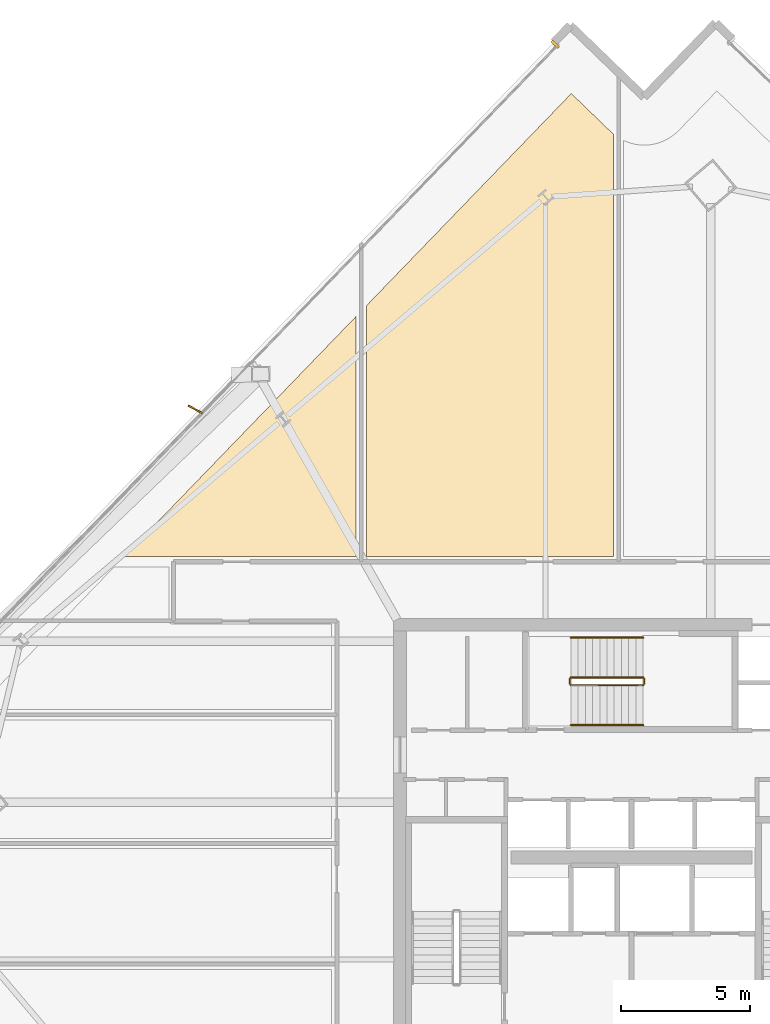
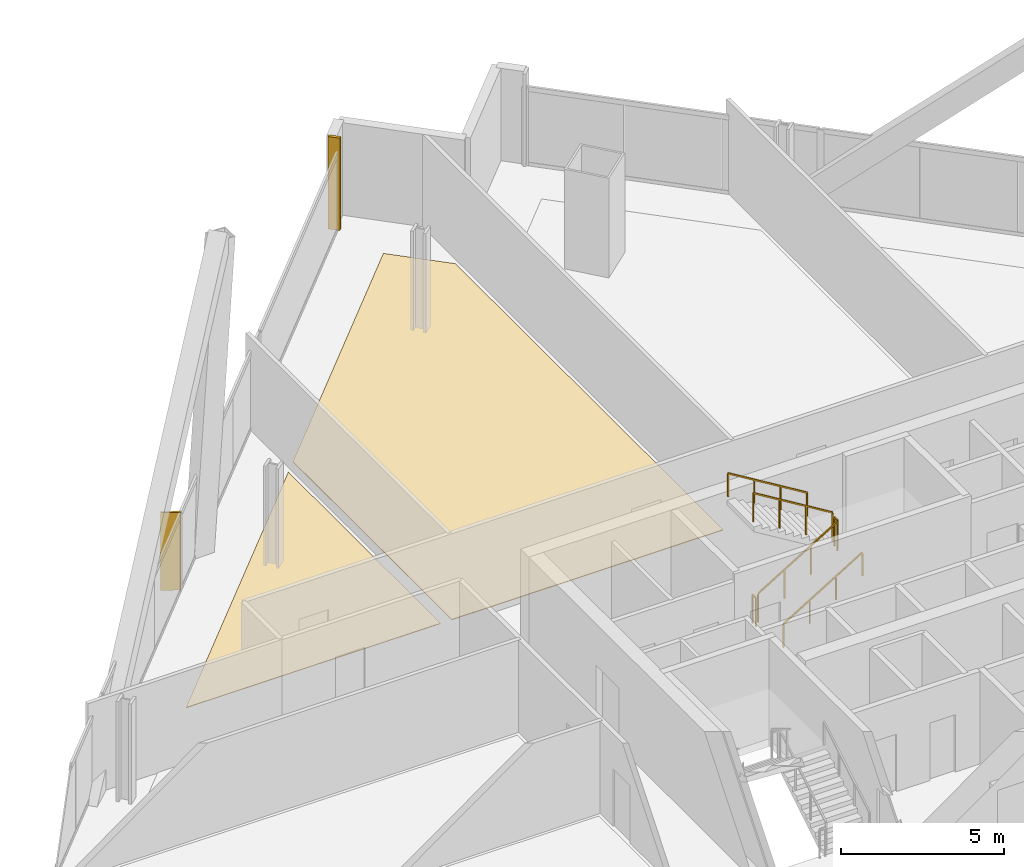
# One storey, part 32 of 33: 6 railings, 3 coverings, 1 shading device.
"""IFC4 building model written with IfcOpenShell, lengths in metres."""

from ifc_helpers import new_model, si_unit, direction, frame, origin, origin_2d, place, context, subcontext, project, spatial, polyline, rectangle, outline, extrude, source, transform, mapped, material, layer, layer_set, type_object, element, save


model = new_model("IFC4")

# Units and contexts
model_context = context("Model", 3, precision=1e-05, world=origin(), true_north=direction((0.0, 1.0)))
body_context = subcontext(model_context, "Body", "Model", "MODEL_VIEW")
ifc_project = project(units=[si_unit("LENGTHUNIT", "METRE"), si_unit("AREAUNIT", "SQUARE_METRE"), si_unit("VOLUMEUNIT", "CUBIC_METRE"), si_unit("PLANEANGLEUNIT", "RADIAN"), si_unit("MASSUNIT", "GRAM", prefix="KILO")], contexts=[model_context])

# Site, building, storey
site_placement = place(None, origin())
site = spatial("IfcSite", under=ifc_project, at=site_placement, CompositionType="ELEMENT")
building_placement = place(site_placement, origin())
building = spatial("IfcBuilding", under=site, at=building_placement, Name="Haldenkirk Collegiate Tower", CompositionType="ELEMENT")
storey_placement = place(building_placement, frame((0.0, 0.0, 181.949951171875)))
storey = spatial("IfcBuildingStorey", under=building, at=storey_placement, Name="L45", CompositionType="ELEMENT", Elevation=181.949951171875)

# Coverings
ifc_material_1 = material(Name="Polished collegiate terrazzo", Category="concrete")
ifc_layer_1 = layer(ifc_material_1, 0.02490234375)
ifc_layer_set_1 = layer_set([ifc_layer_1], Name="Polished collegiate terrazzo")
covering_type_1 = type_object("IfcCoveringType", Name="COV-FLOOR-TERRAZZO", PredefinedType="FLOORING", material=ifc_layer_set_1)
covering_1_placement = place(storey_placement, origin())
element("IfcCovering", 1, at=covering_1_placement, inside=storey, type_object=covering_type_1, Name="L45 academic room finish 04", PredefinedType="FLOORING", context=body_context, shape_type="SweptSolid", body=[
    extrude(outline(polyline([(35.193359375, 53.164306640625), (35.19775390625, 53.16015625), (35.300048828125, 53.07080078125), (35.300048828125, 36.64990234375), (25.699951171875, 36.64990234375), (25.699951171875, 46.399658203125), (33.661376953125, 54.643798828125), (35.193359375, 53.164306640625)])), origin(), (0.0, 0.0, 1.0), 0.025146484375),
])
ifc_material_2 = material(Name="Engineered collegiate oak acoustic flooring", Category="wood")
ifc_layer_2 = layer(ifc_material_2, 0.02197265625)
ifc_layer_set_2 = layer_set([ifc_layer_2], Name="Engineered collegiate oak acoustic flooring")
covering_type_2 = type_object("IfcCoveringType", Name="COV-FLOOR-TIMBER", PredefinedType="FLOORING", material=ifc_layer_set_2)
covering_2_placement = place(storey_placement, origin())
element("IfcCovering", 2, at=covering_2_placement, inside=storey, type_object=covering_type_2, Name="L45 academic room finish 03", PredefinedType="FLOORING", context=body_context, shape_type="SweptSolid", body=[
    extrude(outline(polyline([(25.300048828125, 45.985595703125), (25.300048828125, 36.64990234375), (16.284912109375, 36.64990234375), (25.300048828125, 45.985595703125)])), origin(), (0.0, 0.0, 1.0), 0.02197265625),
])

# Railings
ifc_material_3 = material(Name="Painted architectural tubular steel", Category="steel")
railing_type_1 = type_object("IfcRailingType", Name="RLG-STAIR-GUARD-1100", PredefinedType="BALUSTRADE", material=ifc_material_3)
railing_1_placement = place(storey_placement, frame((33.64990234375, 31.64990234375, 0.17041015625)))
element("IfcRailing", 3, at=railing_1_placement, inside=storey, type_object=railing_type_1, Name="L45 ST-3 stair guard 1", PredefinedType="BALUSTRADE", context=body_context, shape_type="SweptSolid", body=[
    extrude(rectangle(XDim=0.048095703125, YDim=0.048095703125, at=origin_2d()), frame((0.0, 0.0, 1.076171875), z_axis=(0.854169791009, 0.0, 0.51999420009), x_axis=(0.0, 1.0, 0.0)), (0.0, 0.0, 1.0), 3.278076171875),
    extrude(rectangle(XDim=0.0419921875, YDim=0.0419921875, at=origin_2d()), origin(), (0.0, 0.0, 1.0), 1.052001953125),
    extrude(rectangle(XDim=0.0419921875, YDim=0.0419921875, at=origin_2d()), frame((0.933349609375, 0.0, 0.568115234375)), (0.0, 0.0, 1.0), 1.052001953125),
    extrude(rectangle(XDim=0.0419921875, YDim=0.0419921875, at=origin_2d()), frame((1.86669921875, 0.0, 1.136474609375)), (0.0, 0.0, 1.0), 1.052001953125),
    extrude(rectangle(XDim=0.0419921875, YDim=0.0419921875, at=origin_2d()), frame((2.800048828125, 0.0, 1.70458984375)), (0.0, 0.0, 1.0), 1.052001953125),
])
railing_2_placement = place(storey_placement, frame((36.5, 31.699951171875, 1.875)))
element("IfcRailing", 4, at=railing_2_placement, inside=storey, type_object=railing_type_1, Name="L45 ST-3 stair guard 2", PredefinedType="BALUSTRADE", context=body_context, shape_type="SweptSolid", body=[
    extrude(rectangle(XDim=0.048095703125, YDim=0.048095703125, at=origin_2d()), frame((0.0, 0.0, 1.076171875), z_axis=(0.0, 1.0, 0.0), x_axis=(-1.0, 0.0, 0.0)), (0.0, 0.0, 1.0), 0.199951171875),
    extrude(rectangle(XDim=0.0419921875, YDim=0.0419921875, at=origin_2d()), origin(), (0.0, 0.0, 1.0), 1.052001953125),
    extrude(rectangle(XDim=0.0419921875, YDim=0.0419921875, at=origin_2d()), frame((0.0, 0.199951171875, 0.0)), (0.0, 0.0, 1.0), 1.052001953125),
])
railing_3_placement = place(storey_placement, frame((36.449951171875, 31.949951171875, 2.04541015625)))
element("IfcRailing", 5, at=railing_3_placement, inside=storey, type_object=railing_type_1, Name="L45 ST-3 stair guard 3", PredefinedType="BALUSTRADE", context=body_context, shape_type="SweptSolid", body=[
    extrude(rectangle(XDim=0.048095703125, YDim=0.048095703125, at=origin_2d()), frame((0.0, 0.0, 1.076171875), z_axis=(-0.854169791009, 0.0, 0.51999420009), x_axis=(0.0, -1.0, 0.0)), (0.0, 0.0, 1.0), 3.278076171875),
    extrude(rectangle(XDim=0.0419921875, YDim=0.0419921875, at=origin_2d()), origin(), (0.0, 0.0, 1.0), 1.052001953125),
    extrude(rectangle(XDim=0.0419921875, YDim=0.0419921875, at=origin_2d()), frame((-0.933349609375, 0.0, 0.568115234375)), (0.0, 0.0, 1.0), 1.052001953125),
    extrude(rectangle(XDim=0.0419921875, YDim=0.0419921875, at=origin_2d()), frame((-1.86669921875, 0.0, 1.136474609375)), (0.0, 0.0, 1.0), 1.052001953125),
    extrude(rectangle(XDim=0.0419921875, YDim=0.0419921875, at=origin_2d()), frame((-2.800048828125, 0.0, 1.70458984375)), (0.0, 0.0, 1.0), 1.052001953125),
])
railing_4_placement = place(storey_placement, frame((33.60009765625, 31.699951171875, 0.0)))
element("IfcRailing", 6, at=railing_4_placement, inside=storey, type_object=railing_type_1, Name="L45 ST-3 stair guard 4", PredefinedType="BALUSTRADE", context=body_context, shape_type="SweptSolid", body=[
    extrude(rectangle(XDim=0.048095703125, YDim=0.048095703125, at=origin_2d()), frame((0.0, 0.0, 1.076171875), z_axis=(0.0, 1.0, 0.0), x_axis=(-1.0, 0.0, 0.0)), (0.0, 0.0, 1.0), 0.199951171875),
    extrude(rectangle(XDim=0.0419921875, YDim=0.0419921875, at=origin_2d()), origin(), (0.0, 0.0, 1.0), 1.052001953125),
    extrude(rectangle(XDim=0.0419921875, YDim=0.0419921875, at=origin_2d()), frame((0.0, 0.199951171875, 0.0)), (0.0, 0.0, 1.0), 1.052001953125),
])
railing_type_2 = type_object("IfcRailingType", Name="RLG-STAIR-HANDRAIL-900", PredefinedType="HANDRAIL", material=ifc_material_3)
railing_5_placement = place(storey_placement, frame((33.64990234375, 30.10009765625, 0.17041015625)))
element("IfcRailing", 7, at=railing_5_placement, inside=storey, type_object=railing_type_2, Name="L45 ST-3 stair handrail 1", PredefinedType="HANDRAIL", context=body_context, shape_type="SweptSolid", body=[
    extrude(rectangle(XDim=0.048095703125, YDim=0.048095703125, at=origin_2d()), frame((0.0, 0.0, 0.8759765625), z_axis=(0.854169791009, 0.0, 0.51999420009), x_axis=(0.0, 1.0, 0.0)), (0.0, 0.0, 1.0), 3.278076171875),
    extrude(rectangle(XDim=0.0419921875, YDim=0.0419921875, at=origin_2d()), origin(), (0.0, 0.0, 1.0), 0.851806640625),
    extrude(rectangle(XDim=0.0419921875, YDim=0.0419921875, at=origin_2d()), frame((0.933349609375, 0.0, 0.568115234375)), (0.0, 0.0, 1.0), 0.851806640625),
    extrude(rectangle(XDim=0.0419921875, YDim=0.0419921875, at=origin_2d()), frame((1.86669921875, 0.0, 1.136474609375)), (0.0, 0.0, 1.0), 0.851806640625),
    extrude(rectangle(XDim=0.0419921875, YDim=0.0419921875, at=origin_2d()), frame((2.800048828125, 0.0, 1.70458984375)), (0.0, 0.0, 1.0), 0.851806640625),
])
railing_6_placement = place(storey_placement, frame((36.449951171875, 33.5, 2.04541015625)))
element("IfcRailing", 8, at=railing_6_placement, inside=storey, type_object=railing_type_2, Name="L45 ST-3 stair handrail 2", PredefinedType="HANDRAIL", context=body_context, shape_type="SweptSolid", body=[
    extrude(rectangle(XDim=0.048095703125, YDim=0.048095703125, at=origin_2d()), frame((0.0, 0.0, 0.8759765625), z_axis=(-0.854169791009, 0.0, 0.51999420009), x_axis=(0.0, -1.0, 0.0)), (0.0, 0.0, 1.0), 3.278076171875),
    extrude(rectangle(XDim=0.0419921875, YDim=0.0419921875, at=origin_2d()), origin(), (0.0, 0.0, 1.0), 0.851806640625),
    extrude(rectangle(XDim=0.0419921875, YDim=0.0419921875, at=origin_2d()), frame((-0.933349609375, 0.0, 0.568115234375)), (0.0, 0.0, 1.0), 0.851806640625),
    extrude(rectangle(XDim=0.0419921875, YDim=0.0419921875, at=origin_2d()), frame((-1.86669921875, 0.0, 1.136474609375)), (0.0, 0.0, 1.0), 0.851806640625),
    extrude(rectangle(XDim=0.0419921875, YDim=0.0419921875, at=origin_2d()), frame((-2.800048828125, 0.0, 1.70458984375)), (0.0, 0.0, 1.0), 0.851806640625),
])

# Covering
ifc_material_4 = material(Name="Anodised architectural bronze aluminium", Category="aluminium")
ifc_layer_3 = layer(ifc_material_4, 0.06005859375)
ifc_layer_set_3 = layer_set([ifc_layer_3], Name="Anodised architectural bronze aluminium")
covering_type_3 = type_object("IfcCoveringType", Name="COV-CLAD-BRONZE-60", PredefinedType="CLADDING", material=ifc_layer_set_3)
shared_shape_1 = source(origin(), body_context, "Body", "SweptSolid", [
    extrude(rectangle(XDim=0.10009765625, YDim=0.3798828125, at=origin_2d()), origin(), (0.0, 0.0, 1.0), 3.4599609375),
])
covering_3_placement = place(storey_placement, frame((33.03369140625, 56.556396484375, 0.0), z_axis=(0.0, 0.0, 1.0), x_axis=(0.694658370459, 0.719339800339, 0.0)))
element("IfcCovering", 9, at=covering_3_placement, inside=storey, type_object=covering_type_3, Name="L45 recessed curtain-wall bronze jamb closure NJR", PredefinedType="CLADDING", context=body_context, shape_type="MappedRepresentation", body=[
    mapped(shared_shape_1, transform((0.0, 0.0, 0.0), x_axis=(1.0, 0.0, 0.0), y_axis=(0.0, 1.0, 0.0), z_axis=(0.0, 0.0, 1.0), scale=1.0)),
])

# Shading device
ifc_layer_4 = layer(ifc_material_4, 0.06494140625)
ifc_layer_set_4 = layer_set([ifc_layer_4], Name="Anodised architectural bronze aluminium")
shading_device_type = type_object("IfcShadingDeviceType", Name="SHD-FIN-BRONZE-620", PredefinedType="USERDEFINED", material=ifc_layer_set_4)
shared_shape_2 = source(origin(), body_context, "Body", "SweptSolid", [
    extrude(rectangle(XDim=0.6201171875, YDim=0.06494140625, at=origin_2d()), origin(), (0.0, 0.0, 1.0), 2.910888671875),
])
shading_device_placement = place(storey_placement, frame((19.048828125, 42.36962890625, 0.0), z_axis=(0.0, 0.0, 1.0), x_axis=(-0.882947592859, 0.469471562786, 0.0)))
element("IfcShadingDevice", 10, at=shading_device_placement, inside=storey, type_object=shading_device_type, Name="L45 folded bronze solar fin 1", ObjectType="FIN", PredefinedType="USERDEFINED", context=body_context, shape_type="MappedRepresentation", body=[
    mapped(shared_shape_2, transform((0.0, 0.0, 0.0), x_axis=(1.0, 0.0, 0.0), y_axis=(0.0, 1.0, 0.0), z_axis=(0.0, 0.0, 1.0), scale=1.0)),
])

save(model, "model.ifc")
